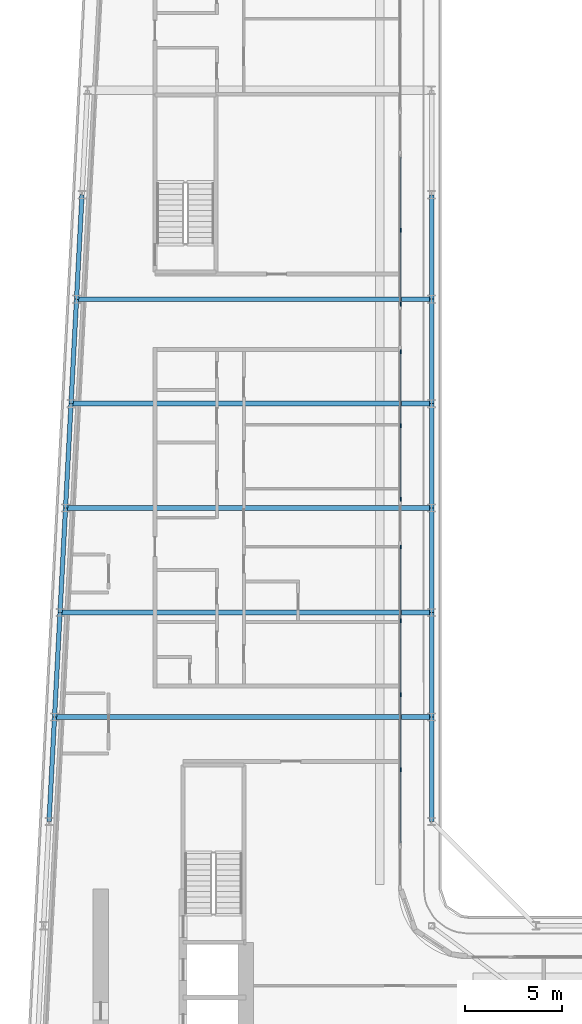
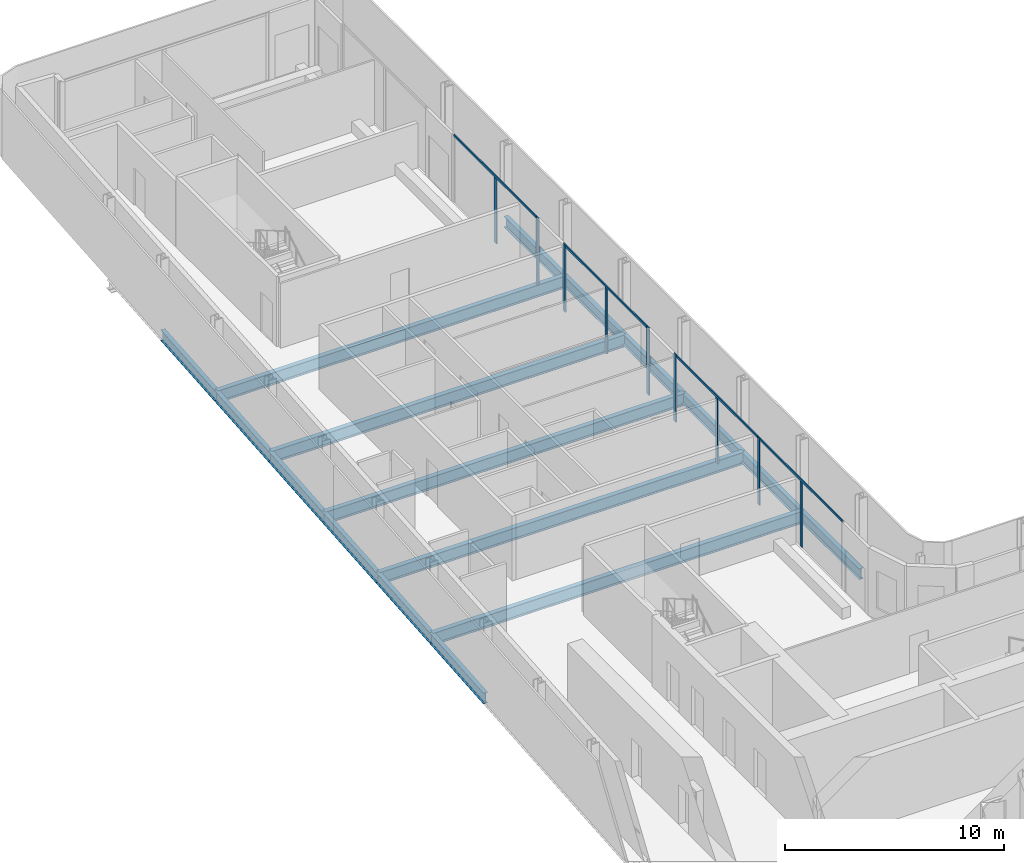
# One storey, part 9 of 29: 17 beams, 13 members, 4 elements without a shape of their own.
"""IFC4 building model written with IfcOpenShell, lengths in metres."""

from ifc_helpers import new_model, si_unit, direction, frame, origin, origin_2d, place, context, subcontext, project, spatial, rectangle, i_section, extrude, material, layer, layer_set, material_profile, profile_set, type_object, element, aggregate, save


model = new_model("IFC4")

# Units and contexts
model_context = context("Model", 3, precision=1e-05, world=origin(), true_north=direction((0.0, 1.0)))
body_context = subcontext(model_context, "Body", "Model", "MODEL_VIEW")
ifc_project = project(units=[si_unit("LENGTHUNIT", "METRE"), si_unit("AREAUNIT", "SQUARE_METRE"), si_unit("VOLUMEUNIT", "CUBIC_METRE"), si_unit("PLANEANGLEUNIT", "RADIAN"), si_unit("MASSUNIT", "GRAM", prefix="KILO")], contexts=[model_context])

# Site, building, storey
site_placement = place(None, origin())
site = spatial("IfcSite", under=ifc_project, at=site_placement, CompositionType="ELEMENT")
building_placement = place(site_placement, origin())
building = spatial("IfcBuilding", under=site, at=building_placement, Name="Kheshtan School and Residences Tower", CompositionType="ELEMENT")
storey_placement = place(building_placement, frame((0.0, 0.0, 172.10009765625)))
storey = spatial("IfcBuildingStorey", under=building, at=storey_placement, Name="L40", CompositionType="ELEMENT", Elevation=172.10009765625)

# Beams
ifc_material_1 = material(Name="Steel ASTM A992 Grade 50", Category="steel")
ifc_material_profile_1 = material_profile(ifc_material_1, i_section(OverallWidth=0.2529296875, OverallDepth=0.677978515625, WebThickness=0.01171875, FlangeThickness=0.016357421875, FilletRadius=0.0146484375, at=origin_2d()), Name="W690x125")
ifc_profile_set_1 = profile_set([ifc_material_profile_1], Name="Steel ASTM A992 Grade 50")
beam_type_1 = type_object("IfcBeamType", Name="Beam FB6 W690x125 ASTM A992 Grade 50", PredefinedType="BEAM", material=ifc_profile_set_1)
beam_1_placement = place(storey_placement, frame((47.60009765625, 78.0, -0.489013671875), z_axis=(-1.0, 0.0, 0.0), x_axis=(0.0, -1.0, 0.0)))
element("IfcBeam", 1, at=beam_1_placement, inside=storey, type_object=beam_type_1, Name="Floor beam C089", PredefinedType="BEAM", context=body_context, shape_type="SweptSolid", body=[
    extrude(i_section(OverallWidth=0.2529296875, OverallDepth=0.677978515625, WebThickness=0.01171875, FlangeThickness=0.016357421875, FilletRadius=0.0146484375, at=origin_2d()), origin(), (0.0, 0.0, 1.0), 18.357177734375),
])
beam_2_placement = place(storey_placement, frame((47.60009765625, 67.199951171875, -0.489013671875), z_axis=(-1.0, 0.0, 0.0), x_axis=(0.0, -1.0, 0.0)))
element("IfcBeam", 2, at=beam_2_placement, inside=storey, type_object=beam_type_1, Name="Floor beam C085", PredefinedType="BEAM", context=body_context, shape_type="SweptSolid", body=[
    extrude(i_section(OverallWidth=0.2529296875, OverallDepth=0.677978515625, WebThickness=0.01171875, FlangeThickness=0.016357421875, FilletRadius=0.0146484375, at=origin_2d()), origin(), (0.0, 0.0, 1.0), 18.926025390625),
])
beam_3_placement = place(storey_placement, frame((47.60009765625, 56.39990234375, -0.489013671875), z_axis=(-1.0, 0.0, 0.0), x_axis=(0.0, -1.0, 0.0)))
element("IfcBeam", 3, at=beam_3_placement, inside=storey, type_object=beam_type_1, Name="Floor beam C081", PredefinedType="BEAM", context=body_context, shape_type="SweptSolid", body=[
    extrude(i_section(OverallWidth=0.2529296875, OverallDepth=0.677978515625, WebThickness=0.01171875, FlangeThickness=0.016357421875, FilletRadius=0.0146484375, at=origin_2d()), origin(), (0.0, 0.0, 1.0), 19.494140625),
])
beam_4_placement = place(storey_placement, frame((28.389892578125, 61.800048828125, -0.489013671875), z_axis=(1.0, 0.0, 0.0), x_axis=(0.0, 1.0, 0.0)))
element("IfcBeam", 4, at=beam_4_placement, inside=storey, type_object=beam_type_1, Name="Floor beam C082", PredefinedType="BEAM", context=body_context, shape_type="SweptSolid", body=[
    extrude(i_section(OverallWidth=0.2529296875, OverallDepth=0.677978515625, WebThickness=0.01171875, FlangeThickness=0.016357421875, FilletRadius=0.0146484375, at=origin_2d()), origin(), (0.0, 0.0, 1.0), 19.210205078125),
])
beam_5_placement = place(storey_placement, frame((28.9580078125, 72.60009765625, -0.489013671875), z_axis=(1.0, 0.0, 0.0), x_axis=(0.0, 1.0, 0.0)))
element("IfcBeam", 5, at=beam_5_placement, inside=storey, type_object=beam_type_1, Name="Floor beam C086", PredefinedType="BEAM", context=body_context, shape_type="SweptSolid", body=[
    extrude(i_section(OverallWidth=0.2529296875, OverallDepth=0.677978515625, WebThickness=0.01171875, FlangeThickness=0.016357421875, FilletRadius=0.0146484375, at=origin_2d()), origin(), (0.0, 0.0, 1.0), 18.64208984375),
])
ifc_material_profile_2 = material_profile(ifc_material_1, i_section(OverallWidth=0.22802734375, OverallDepth=0.60302734375, WebThickness=0.010498046875, FlangeThickness=0.014892578125, FilletRadius=0.013427734375, at=origin_2d()), Name="W610x101")
ifc_profile_set_2 = profile_set([ifc_material_profile_2], Name="Steel ASTM A992 Grade 50")
beam_type_2 = type_object("IfcBeamType", Name="Beam SP2 W610x101 ASTM A992 Grade 50", PredefinedType="BEAM", material=ifc_profile_set_2)
for number, where, z_axis, x_axis, name in (
    (6, (47.60009765625, 83.39990234375, -0.45166015625), (0.0, -1.0, 0.0), (1.0, 0.0, 0.0), "Spandrel beam C091-C089"),
    (7, (47.60009765625, 78.0, -0.45166015625), (0.0, -1.0, 0.0), (1.0, 0.0, 0.0), "Spandrel beam C089-C087"),
):
    element("IfcBeam", number, at=place(storey_placement, frame(where, z_axis=z_axis, x_axis=x_axis)), inside=storey, type_object=beam_type_2, Name=name, PredefinedType="BEAM", context=body_context, shape_type="SweptSolid", body=[
        extrude(i_section(OverallWidth=0.22802734375, OverallDepth=0.60302734375, WebThickness=0.010498046875, FlangeThickness=0.014892578125, FilletRadius=0.013427734375, at=origin_2d()), origin(), (0.0, 0.0, 1.0), 5.39990234375),
    ])
beam_6_placement = place(storey_placement, frame((47.60009765625, 72.60009765625, -0.45166015625), z_axis=(0.0, -1.0, 0.0), x_axis=(1.0, 0.0, 0.0)))
element("IfcBeam", 8, at=beam_6_placement, inside=storey, type_object=beam_type_2, Name="Spandrel beam C087-C085", PredefinedType="BEAM", context=body_context, shape_type="SweptSolid", body=[
    extrude(i_section(OverallWidth=0.22802734375, OverallDepth=0.60302734375, WebThickness=0.010498046875, FlangeThickness=0.014892578125, FilletRadius=0.013427734375, at=origin_2d()), origin(), (0.0, 0.0, 1.0), 5.400146484375),
])
beam_7_placement = place(storey_placement, frame((47.60009765625, 67.199951171875, -0.45166015625), z_axis=(0.0, -1.0, 0.0), x_axis=(1.0, 0.0, 0.0)))
element("IfcBeam", 9, at=beam_7_placement, inside=storey, type_object=beam_type_2, Name="Spandrel beam C085-C083", PredefinedType="BEAM", context=body_context, shape_type="SweptSolid", body=[
    extrude(i_section(OverallWidth=0.22802734375, OverallDepth=0.60302734375, WebThickness=0.010498046875, FlangeThickness=0.014892578125, FilletRadius=0.013427734375, at=origin_2d()), origin(), (0.0, 0.0, 1.0), 5.39990234375),
])
beam_8_placement = place(storey_placement, frame((47.60009765625, 61.800048828125, -0.45166015625), z_axis=(0.0, -1.0, 0.0), x_axis=(1.0, 0.0, 0.0)))
element("IfcBeam", 10, at=beam_8_placement, inside=storey, type_object=beam_type_2, Name="Spandrel beam C083-C081", PredefinedType="BEAM", context=body_context, shape_type="SweptSolid", body=[
    extrude(i_section(OverallWidth=0.22802734375, OverallDepth=0.60302734375, WebThickness=0.010498046875, FlangeThickness=0.014892578125, FilletRadius=0.013427734375, at=origin_2d()), origin(), (0.0, 0.0, 1.0), 5.400146484375),
])
beam_9_placement = place(storey_placement, frame((47.60009765625, 56.39990234375, -0.45166015625), z_axis=(0.0, -1.0, 0.0), x_axis=(1.0, 0.0, 0.0)))
element("IfcBeam", 11, at=beam_9_placement, inside=storey, type_object=beam_type_2, Name="Spandrel beam C081-C079", PredefinedType="BEAM", context=body_context, shape_type="SweptSolid", body=[
    extrude(i_section(OverallWidth=0.22802734375, OverallDepth=0.60302734375, WebThickness=0.010498046875, FlangeThickness=0.014892578125, FilletRadius=0.013427734375, at=origin_2d()), origin(), (0.0, 0.0, 1.0), 5.39990234375),
])
beam_10_placement = place(storey_placement, frame((27.822021484375, 51.0, -0.45166015625), z_axis=(0.05250906864, 0.998620447272, 0.0), x_axis=(-0.998620447272, 0.05250906864, 0.0)))
element("IfcBeam", 12, at=beam_10_placement, inside=storey, type_object=beam_type_2, Name="Spandrel beam C078-C080", PredefinedType="BEAM", context=body_context, shape_type="SweptSolid", body=[
    extrude(i_section(OverallWidth=0.22802734375, OverallDepth=0.60302734375, WebThickness=0.010498046875, FlangeThickness=0.014892578125, FilletRadius=0.013427734375, at=origin_2d()), origin(), (0.0, 0.0, 1.0), 5.407470703125),
])
beam_11_placement = place(storey_placement, frame((28.10595703125, 56.39990234375, -0.45166015625), z_axis=(0.05250670125, 0.998620571751, 0.0), x_axis=(-0.998620571751, 0.05250670125, 0.0)))
element("IfcBeam", 13, at=beam_11_placement, inside=storey, type_object=beam_type_2, Name="Spandrel beam C080-C082", PredefinedType="BEAM", context=body_context, shape_type="SweptSolid", body=[
    extrude(i_section(OverallWidth=0.22802734375, OverallDepth=0.60302734375, WebThickness=0.010498046875, FlangeThickness=0.014892578125, FilletRadius=0.013427734375, at=origin_2d()), origin(), (0.0, 0.0, 1.0), 5.40771484375),
])
beam_12_placement = place(storey_placement, frame((28.389892578125, 61.800048828125, -0.45166015625), z_axis=(0.052554093665, 0.998618078766, 0.0), x_axis=(-0.998618078766, 0.052554093665, 0.0)))
element("IfcBeam", 14, at=beam_12_placement, inside=storey, type_object=beam_type_2, Name="Spandrel beam C082-C084", PredefinedType="BEAM", context=body_context, shape_type="SweptSolid", body=[
    extrude(i_section(OverallWidth=0.22802734375, OverallDepth=0.60302734375, WebThickness=0.010498046875, FlangeThickness=0.014892578125, FilletRadius=0.013427734375, at=origin_2d()), origin(), (0.0, 0.0, 1.0), 5.407470703125),
])
beam_13_placement = place(storey_placement, frame((28.674072265625, 67.199951171875, -0.45166015625), z_axis=(0.05250670125, 0.998620571751, 0.0), x_axis=(-0.998620571751, 0.05250670125, 0.0)))
element("IfcBeam", 15, at=beam_13_placement, inside=storey, type_object=beam_type_2, Name="Spandrel beam C084-C086", PredefinedType="BEAM", context=body_context, shape_type="SweptSolid", body=[
    extrude(i_section(OverallWidth=0.22802734375, OverallDepth=0.60302734375, WebThickness=0.010498046875, FlangeThickness=0.014892578125, FilletRadius=0.013427734375, at=origin_2d()), origin(), (0.0, 0.0, 1.0), 5.40771484375),
])
for number, where, z_axis, x_axis, name in (
    (16, (28.9580078125, 72.60009765625, -0.45166015625), (0.052689166816, 0.998610961136, 0.0), (-0.998610961136, 0.052689166816, 0.0), "Spandrel beam C086-C088"),
    (17, (29.242919921875, 78.0, -0.45166015625), (0.052554093665, 0.998618078766, 0.0), (-0.998618078766, 0.052554093665, 0.0), "Spandrel beam C088-C090"),
):
    element("IfcBeam", number, at=place(storey_placement, frame(where, z_axis=z_axis, x_axis=x_axis)), inside=storey, type_object=beam_type_2, Name=name, PredefinedType="BEAM", context=body_context, shape_type="SweptSolid", body=[
        extrude(i_section(OverallWidth=0.22802734375, OverallDepth=0.60302734375, WebThickness=0.010498046875, FlangeThickness=0.014892578125, FilletRadius=0.013427734375, at=origin_2d()), origin(), (0.0, 0.0, 1.0), 5.407470703125),
    ])

# Curtain wall, members
ifc_material_2 = material(Name="Clear low-e glass in thermally broken aluminium frame", Category="aluminium")
ifc_layer = layer(ifc_material_2, 0.199951171875)
ifc_layer_set = layer_set([ifc_layer], Name="Curtain wall CW-L")
curtain_wall_type = type_object("IfcCurtainWallType", Name="Curtain wall CW-L", PredefinedType="NOTDEFINED", material=ifc_layer_set)
curtain_wall_1_placement = place(storey_placement, origin())
curtain_wall_1 = element("IfcCurtainWall", 18, at=curtain_wall_1_placement, inside=storey, type_object=curtain_wall_type, Name="Curtain wall CWL8", PredefinedType="NOTDEFINED")
ifc_material_3 = material(Name="Thermally broken aluminium, dark bronze anodised", Category="aluminium")
ifc_material_profile_3 = material_profile(ifc_material_3, rectangle(XDim=0.06005859375, YDim=0.199951171875, at=origin_2d()), Name="CW-L mullion 60x200")
ifc_profile_set_3 = profile_set([ifc_material_profile_3], Name="Thermally broken aluminium, dark bronze anodised")
member_type_1 = type_object("IfcMemberType", Name="CW-L mullion 60x200", PredefinedType="MULLION", material=ifc_profile_set_3)
member_1_placement = place(storey_placement, frame((46.0, 81.55908203125, 0.0), z_axis=(0.0, 0.0, 1.0), x_axis=(1.0, 0.0, 0.0)))
member_1 = element("IfcMember", 19, at=member_1_placement, type_object=member_type_1, Name="CWL8 mullion 2", PredefinedType="MULLION", context=body_context, shape_type="SweptSolid", body=[
    extrude(rectangle(XDim=0.06005859375, YDim=0.199951171875, at=origin_2d()), origin(), (0.0, 0.0, 1.0), 3.6298828125),
])
member_2_placement = place(storey_placement, frame((46.0, 77.741943359375, 0.0), z_axis=(0.0, 0.0, 1.0), x_axis=(1.0, 0.0, 0.0)))
member_2 = element("IfcMember", 20, at=member_2_placement, type_object=member_type_1, Name="CWL8 mullion 3", PredefinedType="MULLION", context=body_context, shape_type="SweptSolid", body=[
    extrude(rectangle(XDim=0.06005859375, YDim=0.199951171875, at=origin_2d()), origin(), (0.0, 0.0, 1.0), 3.75),
])

curtain_wall_2_placement = place(storey_placement, origin())
curtain_wall_2 = element("IfcCurtainWall", 21, at=curtain_wall_2_placement, inside=storey, type_object=curtain_wall_type, Name="Curtain wall CWL8", PredefinedType="NOTDEFINED")
member_3_placement = place(storey_placement, frame((46.0, 75.281982421875, 0.0), z_axis=(0.0, 0.0, 1.0), x_axis=(1.0, 0.0, 0.0)))
member_3 = element("IfcMember", 22, at=member_3_placement, type_object=member_type_1, Name="CWL8 mullion 1", PredefinedType="MULLION", context=body_context, shape_type="SweptSolid", body=[
    extrude(rectangle(XDim=0.06005859375, YDim=0.199951171875, at=origin_2d()), origin(), (0.0, 0.0, 1.0), 3.75),
])
member_4_placement = place(storey_placement, frame((46.0, 71.465087890625, 0.0), z_axis=(0.0, 0.0, 1.0), x_axis=(1.0, 0.0, 0.0)))
member_4 = element("IfcMember", 23, at=member_4_placement, type_object=member_type_1, Name="CWL8 mullion 2", PredefinedType="MULLION", context=body_context, shape_type="SweptSolid", body=[
    extrude(rectangle(XDim=0.06005859375, YDim=0.199951171875, at=origin_2d()), origin(), (0.0, 0.0, 1.0), 3.6298828125),
])
member_5_placement = place(storey_placement, frame((46.0, 67.64794921875, 0.0), z_axis=(0.0, 0.0, 1.0), x_axis=(1.0, 0.0, 0.0)))
member_5 = element("IfcMember", 24, at=member_5_placement, type_object=member_type_1, Name="CWL8 mullion 3", PredefinedType="MULLION", context=body_context, shape_type="SweptSolid", body=[
    extrude(rectangle(XDim=0.06005859375, YDim=0.199951171875, at=origin_2d()), origin(), (0.0, 0.0, 1.0), 3.75),
])

curtain_wall_3_placement = place(storey_placement, origin())
curtain_wall_3 = element("IfcCurtainWall", 25, at=curtain_wall_3_placement, inside=storey, type_object=curtain_wall_type, Name="Curtain wall CWL8", PredefinedType="NOTDEFINED")
member_6_placement = place(storey_placement, frame((46.0, 65.18798828125, 0.0), z_axis=(0.0, 0.0, 1.0), x_axis=(1.0, 0.0, 0.0)))
member_6 = element("IfcMember", 26, at=member_6_placement, type_object=member_type_1, Name="CWL8 mullion 1", PredefinedType="MULLION", context=body_context, shape_type="SweptSolid", body=[
    extrude(rectangle(XDim=0.06005859375, YDim=0.199951171875, at=origin_2d()), origin(), (0.0, 0.0, 1.0), 3.75),
])
member_7_placement = place(storey_placement, frame((46.0, 61.37109375, 0.0), z_axis=(0.0, 0.0, 1.0), x_axis=(1.0, 0.0, 0.0)))
member_7 = element("IfcMember", 27, at=member_7_placement, type_object=member_type_1, Name="CWL8 mullion 2", PredefinedType="MULLION", context=body_context, shape_type="SweptSolid", body=[
    extrude(rectangle(XDim=0.06005859375, YDim=0.199951171875, at=origin_2d()), origin(), (0.0, 0.0, 1.0), 3.6298828125),
])
member_8_placement = place(storey_placement, frame((46.0, 57.553955078125, 0.0), z_axis=(0.0, 0.0, 1.0), x_axis=(1.0, 0.0, 0.0)))
member_8 = element("IfcMember", 28, at=member_8_placement, type_object=member_type_1, Name="CWL8 mullion 3", PredefinedType="MULLION", context=body_context, shape_type="SweptSolid", body=[
    extrude(rectangle(XDim=0.06005859375, YDim=0.199951171875, at=origin_2d()), origin(), (0.0, 0.0, 1.0), 3.75),
])

# Curtain wall, member
curtain_wall_4_placement = place(storey_placement, origin())
curtain_wall_4 = element("IfcCurtainWall", 29, at=curtain_wall_4_placement, inside=storey, type_object=curtain_wall_type, Name="Curtain wall CWL8", PredefinedType="NOTDEFINED")
member_9_placement = place(storey_placement, frame((46.0, 53.677001953125, 0.0), z_axis=(0.0, 0.0, 1.0), x_axis=(1.0, 0.0, 0.0)))
member_9 = element("IfcMember", 30, at=member_9_placement, type_object=member_type_1, Name="CWL8 mullion 2", PredefinedType="MULLION", context=body_context, shape_type="SweptSolid", body=[
    extrude(rectangle(XDim=0.06005859375, YDim=0.199951171875, at=origin_2d()), origin(), (0.0, 0.0, 1.0), 3.6298828125),
])

# Member
ifc_material_profile_4 = material_profile(ifc_material_3, rectangle(XDim=0.06005859375, YDim=0.1201171875, at=origin_2d()), Name="CW-L transom 60x120")
ifc_profile_set_4 = profile_set([ifc_material_profile_4], Name="Thermally broken aluminium, dark bronze anodised")
member_type_2 = type_object("IfcMemberType", Name="CW-L transom 60x120", PredefinedType="USERDEFINED", material=ifc_profile_set_4)
member_10_placement = place(storey_placement, frame((46.0, 85.345947265625, 3.68994140625), z_axis=(0.0, -1.0, 0.0), x_axis=(1.0, 0.0, 0.0)))
member_10 = element("IfcMember", 31, at=member_10_placement, type_object=member_type_2, Name="CWL8 transom 1", ObjectType="TRANSOM", PredefinedType="USERDEFINED", context=body_context, shape_type="SweptSolid", body=[
    extrude(rectangle(XDim=0.06005859375, YDim=0.1201171875, at=origin_2d()), origin(), (0.0, 0.0, 1.0), 7.573974609375),
])

aggregate(curtain_wall_1, [member_1, member_2, member_10])

member_11_placement = place(storey_placement, frame((46.0, 75.251953125, 3.68994140625), z_axis=(0.0, -1.0, 0.0), x_axis=(1.0, 0.0, 0.0)))
member_11 = element("IfcMember", 32, at=member_11_placement, type_object=member_type_2, Name="CWL8 transom 1", ObjectType="TRANSOM", PredefinedType="USERDEFINED", context=body_context, shape_type="SweptSolid", body=[
    extrude(rectangle(XDim=0.06005859375, YDim=0.1201171875, at=origin_2d()), origin(), (0.0, 0.0, 1.0), 7.573974609375),
])

aggregate(curtain_wall_2, [member_3, member_4, member_5, member_11])

member_12_placement = place(storey_placement, frame((46.0, 65.157958984375, 3.68994140625), z_axis=(0.0, -1.0, 0.0), x_axis=(1.0, 0.0, 0.0)))
member_12 = element("IfcMember", 33, at=member_12_placement, type_object=member_type_2, Name="CWL8 transom 1", ObjectType="TRANSOM", PredefinedType="USERDEFINED", context=body_context, shape_type="SweptSolid", body=[
    extrude(rectangle(XDim=0.06005859375, YDim=0.1201171875, at=origin_2d()), origin(), (0.0, 0.0, 1.0), 7.573974609375),
])

aggregate(curtain_wall_3, [member_6, member_7, member_8, member_12])

member_13_placement = place(storey_placement, frame((46.0, 57.52392578125, 3.68994140625), z_axis=(0.0, -1.0, 0.0), x_axis=(1.0, 0.0, 0.0)))
member_13 = element("IfcMember", 34, at=member_13_placement, type_object=member_type_2, Name="CWL8 transom 1", ObjectType="TRANSOM", PredefinedType="USERDEFINED", context=body_context, shape_type="SweptSolid", body=[
    extrude(rectangle(XDim=0.06005859375, YDim=0.1201171875, at=origin_2d()), origin(), (0.0, 0.0, 1.0), 7.634033203125),
])

aggregate(curtain_wall_4, [member_9, member_13])

save(model, "model.ifc")
